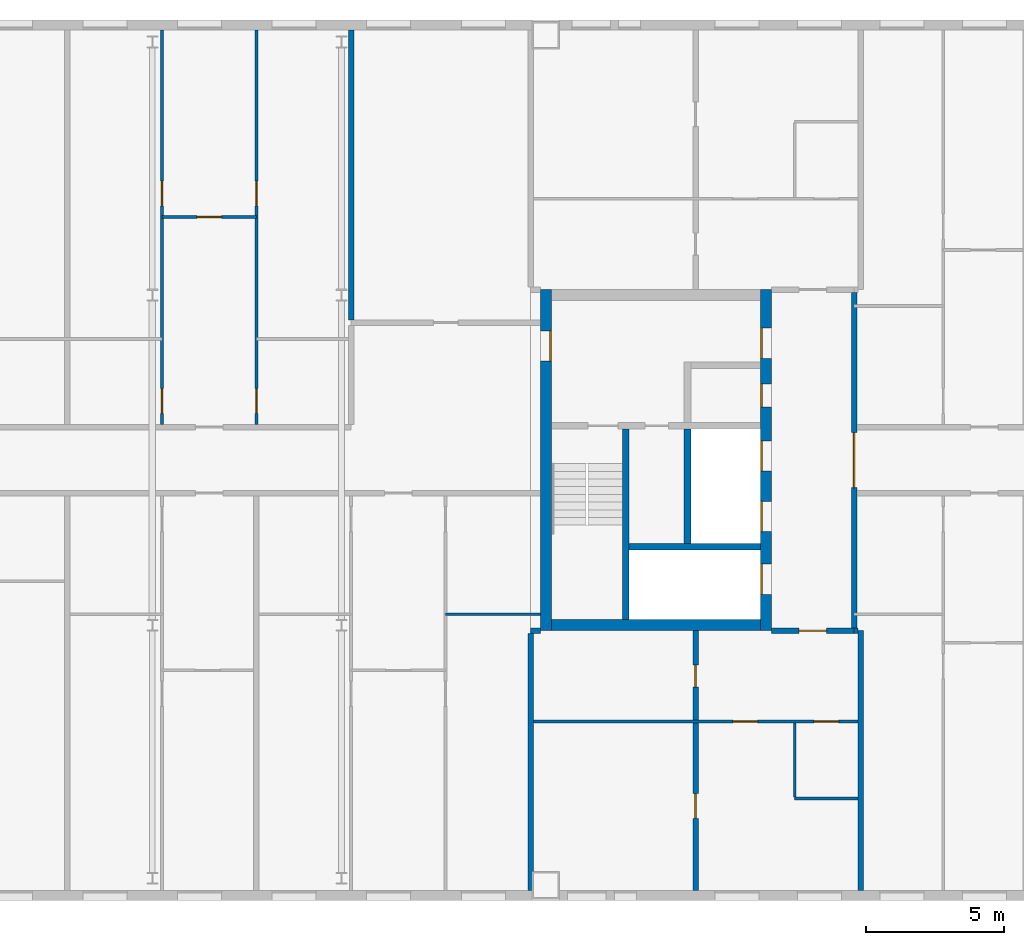
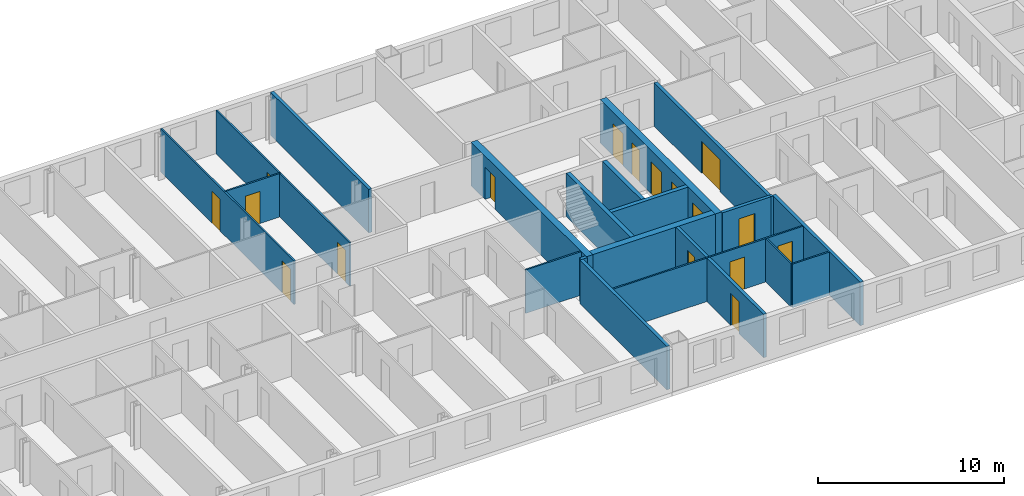
# One storey, part 13 of 19: 21 walls, 17 doors, 17 openings.
"""IFC4 building model written with IfcOpenShell, lengths in metres."""

from ifc_helpers import new_model, si_unit, direction, frame, frame_2d, origin, place, context, subcontext, project, spatial, rectangle, extrude, material, layer, layer_set, type_object, element, fill, save


model = new_model("IFC4")

# Units and contexts
model_context = context("Model", 3, precision=1e-05, world=origin(), true_north=direction((0.0, 1.0)))
body_context = subcontext(model_context, "Body", "Model", "MODEL_VIEW")
ifc_project = project(units=[si_unit("LENGTHUNIT", "METRE"), si_unit("AREAUNIT", "SQUARE_METRE"), si_unit("VOLUMEUNIT", "CUBIC_METRE"), si_unit("PLANEANGLEUNIT", "RADIAN"), si_unit("MASSUNIT", "GRAM", prefix="KILO")], contexts=[model_context])

# Site, building, storey
site_placement = place(None, origin())
site = spatial("IfcSite", under=ifc_project, at=site_placement, CompositionType="ELEMENT")
building_placement = place(site_placement, origin())
building = spatial("IfcBuilding", under=site, at=building_placement, Name="Tuart Gate Housing", CompositionType="ELEMENT")
storey_placement = place(building_placement, frame((0.0, 0.0, 209.0)))
storey = spatial("IfcBuildingStorey", under=building, at=storey_placement, Name="L59", CompositionType="ELEMENT", Elevation=209.0)

# Walls
ifc_material_1 = material(Name="Concrete C40", Category="concrete")
ifc_layer_1 = layer(ifc_material_1, 0.25)
ifc_layer_set_1 = layer_set([ifc_layer_1], Name="Core wall 250 C40")
wall_type_1 = type_object("IfcWallType", Name="Core wall 250 C40", PredefinedType="SHEAR", material=ifc_layer_set_1)
wall_1_placement = place(storey_placement, frame((139.360107421875, 66.85009765625, 0.0), z_axis=(0.0, 0.0, 1.0), x_axis=(-1.0, 0.0, 0.0)))
element("IfcWall", 1, at=wall_1_placement, inside=storey, type_object=wall_type_1, Name="Core wall BG.1", PredefinedType="SHEAR", context=body_context, shape_type="SweptSolid", body=[
    extrude(rectangle(XDim=4.775146484375, YDim=0.25, at=frame_2d((2.3876953125, 0.0))), origin(), (0.0, 0.0, 1.0), 2.85009765625),
])
wall_2_placement = place(storey_placement, frame((136.7099609375, 66.97509765625, 0.0), z_axis=(0.0, 0.0, 1.0), x_axis=(0.0, 1.0, 0.0)))
element("IfcWall", 2, at=wall_2_placement, inside=storey, type_object=wall_type_1, Name="Core wall BG.4", PredefinedType="SHEAR", context=body_context, shape_type="SweptSolid", body=[
    extrude(rectangle(XDim=4.14990234375, YDim=0.25, at=frame_2d((2.074951171875, 0.0))), origin(), (0.0, 0.0, 1.0), 2.85009765625),
])
wall_3_placement = place(storey_placement, frame((134.4599609375, 64.199951171875, 0.0), z_axis=(0.0, 0.0, 1.0), x_axis=(0.0, 1.0, 0.0)))
element("IfcWall", 3, at=wall_3_placement, inside=storey, type_object=wall_type_1, Name="Core wall BG.6", PredefinedType="SHEAR", context=body_context, shape_type="SweptSolid", body=[
    extrude(rectangle(XDim=6.925048828125, YDim=0.25, at=frame_2d((3.46240234375, 0.0))), origin(), (0.0, 0.0, 1.0), 2.85009765625),
])

# Wall, openings, doors
ifc_material_2 = material(Name="Concrete C40", Category="concrete")
ifc_layer_2 = layer(ifc_material_2, 0.39990234375)
ifc_layer_set_2 = layer_set([ifc_layer_2], Name="Core wall 400 C40")
wall_type_2 = type_object("IfcWallType", Name="Core wall 400 C40", PredefinedType="SHEAR", material=ifc_layer_set_2)
wall_4_placement = place(storey_placement, frame((139.56005859375, 63.800048828125, 0.0), z_axis=(0.0, 0.0, 1.0), x_axis=(0.0, 1.0, 0.0)))
wall_4 = element("IfcWall", 4, at=wall_4_placement, inside=storey, type_object=wall_type_2, Name="Core wall BG front", PredefinedType="SHEAR", context=body_context, shape_type="SweptSolid", body=[
    extrude(rectangle(XDim=12.39990234375, YDim=0.39990234375, at=frame_2d((6.199951171875, 0.0))), origin(), (0.0, 0.0, 1.0), 2.85009765625),
])
opening_1_placement = place(wall_4_placement, frame((1.324951171875, 0.0, 0.0)))
opening_1 = element("IfcOpeningElement", 5, at=opening_1_placement, cuts=wall_4, Name="Opening LD-FB1", PredefinedType="OPENING", context=body_context, shape_type="SweptSolid", body=[
    extrude(rectangle(XDim=1.10009765625, YDim=2.10009765625, at=frame_2d((0.550048828125, 1.050048828125))), frame((0.0, 0.2099609375, 0.0), z_axis=(0.0, -1.0, 0.0), x_axis=(1.0, 0.0, 0.0)), (0.0, 0.0, 1.0), 0.419921875),
])
opening_2_placement = place(wall_4_placement, frame((3.60009765625, 0.0, 0.0)))
opening_2 = element("IfcOpeningElement", 6, at=opening_2_placement, cuts=wall_4, Name="Opening LD-LB1", PredefinedType="OPENING", context=body_context, shape_type="SweptSolid", body=[
    extrude(rectangle(XDim=1.10009765625, YDim=2.10009765625, at=frame_2d((0.550048828125, 1.050048828125))), frame((0.0, 0.2099609375, 0.0), z_axis=(0.0, -1.0, 0.0), x_axis=(1.0, 0.0, 0.0)), (0.0, 0.0, 1.0), 0.419921875),
])
opening_3_placement = place(wall_4_placement, frame((5.800048828125, 0.0, 0.0)))
opening_3 = element("IfcOpeningElement", 7, at=opening_3_placement, cuts=wall_4, Name="Opening LD-LB2", PredefinedType="OPENING", context=body_context, shape_type="SweptSolid", body=[
    extrude(rectangle(XDim=1.10009765625, YDim=2.10009765625, at=frame_2d((0.550048828125, 1.050048828125))), frame((0.0, 0.2099609375, 0.0), z_axis=(0.0, -1.0, 0.0), x_axis=(1.0, 0.0, 0.0)), (0.0, 0.0, 1.0), 0.419921875),
])
opening_4_placement = place(wall_4_placement, frame((9.89990234375, 0.0, 0.0)))
opening_4 = element("IfcOpeningElement", 8, at=opening_4_placement, cuts=wall_4, Name="Opening D2246", PredefinedType="OPENING", context=body_context, shape_type="SweptSolid", body=[
    extrude(rectangle(XDim=1.10009765625, YDim=2.10009765625, at=frame_2d((0.550048828125, 1.050048828125))), frame((0.0, 0.2099609375, 0.0), z_axis=(0.0, -1.0, 0.0), x_axis=(1.0, 0.0, 0.0)), (0.0, 0.0, 1.0), 0.419921875),
])
opening_5_placement = place(wall_4_placement, frame((8.125, 0.0, 0.0)))
opening_5 = element("IfcOpeningElement", 9, at=opening_5_placement, cuts=wall_4, Name="Opening D2247", PredefinedType="OPENING", context=body_context, shape_type="SweptSolid", body=[
    extrude(rectangle(XDim=0.85009765625, YDim=2.10009765625, at=frame_2d((0.425048828125, 1.050048828125))), frame((0.0, 0.2099609375, 0.0), z_axis=(0.0, -1.0, 0.0), x_axis=(1.0, 0.0, 0.0)), (0.0, 0.0, 1.0), 0.419921875),
])
ifc_material_3 = material(Name="Stainless steel", Category="steel")
door_type_1 = type_object("IfcDoorType", Name="Landing door 1100 x 2100", OperationType="DOUBLE_DOOR_SLIDING", PredefinedType="DOOR", material=ifc_material_3)
door_1_placement = place(opening_1_placement, origin())
door_1 = element("IfcDoor", 10, at=door_1_placement, inside=storey, type_object=door_type_1, Name="Lift landing door FB1", OperationType="DOUBLE_DOOR_SLIDING", OverallHeight=2.10009765625, OverallWidth=1.10009765625, PredefinedType="DOOR", context=body_context, shape_type="SweptSolid", body=[
    extrude(rectangle(XDim=1.10009765625, YDim=2.10009765625, at=frame_2d((0.550048828125, 1.050048828125))), frame((0.0, 0.18505859375, 0.0), z_axis=(0.0, -1.0, 0.0), x_axis=(1.0, 0.0, 0.0)), (0.0, 0.0, 1.0), 0.050048828125),
])
fill(opening_1, door_1)
door_2_placement = place(opening_2_placement, origin())
door_2 = element("IfcDoor", 11, at=door_2_placement, inside=storey, type_object=door_type_1, Name="Lift landing door LB1", OperationType="DOUBLE_DOOR_SLIDING", OverallHeight=2.10009765625, OverallWidth=1.10009765625, PredefinedType="DOOR", context=body_context, shape_type="SweptSolid", body=[
    extrude(rectangle(XDim=1.10009765625, YDim=2.10009765625, at=frame_2d((0.550048828125, 1.050048828125))), frame((0.0, 0.18505859375, 0.0), z_axis=(0.0, -1.0, 0.0), x_axis=(1.0, 0.0, 0.0)), (0.0, 0.0, 1.0), 0.050048828125),
])
fill(opening_2, door_2)
door_3_placement = place(opening_3_placement, origin())
door_3 = element("IfcDoor", 12, at=door_3_placement, inside=storey, type_object=door_type_1, Name="Lift landing door LB2", OperationType="DOUBLE_DOOR_SLIDING", OverallHeight=2.10009765625, OverallWidth=1.10009765625, PredefinedType="DOOR", context=body_context, shape_type="SweptSolid", body=[
    extrude(rectangle(XDim=1.10009765625, YDim=2.10009765625, at=frame_2d((0.550048828125, 1.050048828125))), frame((0.0, 0.18505859375, 0.0), z_axis=(0.0, -1.0, 0.0), x_axis=(1.0, 0.0, 0.0)), (0.0, 0.0, 1.0), 0.050048828125),
])
fill(opening_3, door_3)
ifc_material_4 = material(Name="Steel fire door", Category="steel")
door_type_2 = type_object("IfcDoorType", Name="Lobby door 1100 x 2100", OperationType="SINGLE_SWING_LEFT", PredefinedType="DOOR", material=ifc_material_4)
door_4_placement = place(opening_4_placement, origin())
door_4 = element("IfcDoor", 13, at=door_4_placement, inside=storey, type_object=door_type_2, Name="Lobby entry door BG.EN", OperationType="SINGLE_SWING_LEFT", OverallHeight=2.10009765625, OverallWidth=1.10009765625, PredefinedType="DOOR", context=body_context, shape_type="SweptSolid", body=[
    extrude(rectangle(XDim=1.10009765625, YDim=2.10009765625, at=frame_2d((0.550048828125, 1.050048828125))), frame((0.0, 0.18505859375, 0.0), z_axis=(0.0, -1.0, 0.0), x_axis=(1.0, 0.0, 0.0)), (0.0, 0.0, 1.0), 0.050048828125),
])
fill(opening_4, door_4)
ifc_material_5 = material(Name="Steel fire door", Category="steel")
door_type_3 = type_object("IfcDoorType", Name="Service door 850 x 2100", OperationType="SINGLE_SWING_LEFT", PredefinedType="DOOR", material=ifc_material_5)
door_5_placement = place(opening_5_placement, origin())
door_5 = element("IfcDoor", 14, at=door_5_placement, inside=storey, type_object=door_type_3, Name="Service room door BG.T1", OperationType="SINGLE_SWING_LEFT", OverallHeight=2.10009765625, OverallWidth=0.85009765625, PredefinedType="DOOR", context=body_context, shape_type="SweptSolid", body=[
    extrude(rectangle(XDim=0.85009765625, YDim=2.10009765625, at=frame_2d((0.425048828125, 1.050048828125))), frame((0.0, 0.18505859375, 0.0), z_axis=(0.0, -1.0, 0.0), x_axis=(1.0, 0.0, 0.0)), (0.0, 0.0, 1.0), 0.050048828125),
])
fill(opening_5, door_5)

# Wall, opening, door
wall_5_placement = place(storey_placement, frame((131.56005859375, 63.800048828125, 0.0), z_axis=(0.0, 0.0, 1.0), x_axis=(0.0, 1.0, 0.0)))
wall_5 = element("IfcWall", 15, at=wall_5_placement, inside=storey, type_object=wall_type_2, Name="Core wall BG back", PredefinedType="SHEAR", context=body_context, shape_type="SweptSolid", body=[
    extrude(rectangle(XDim=12.39990234375, YDim=0.39990234375, at=frame_2d((6.199951171875, 0.0))), origin(), (0.0, 0.0, 1.0), 2.85009765625),
])
opening_6_placement = place(wall_5_placement, frame((9.800048828125, 0.0, 0.0)))
opening_6 = element("IfcOpeningElement", 16, at=opening_6_placement, cuts=wall_5, Name="Opening D2245", PredefinedType="OPENING", context=body_context, shape_type="SweptSolid", body=[
    extrude(rectangle(XDim=1.10009765625, YDim=2.10009765625, at=frame_2d((0.550048828125, 1.050048828125))), frame((0.0, 0.2099609375, 0.0), z_axis=(0.0, -1.0, 0.0), x_axis=(1.0, 0.0, 0.0)), (0.0, 0.0, 1.0), 0.419921875),
])
door_6_placement = place(opening_6_placement, frame((1.10009765625, 0.0, 0.0), z_axis=(0.0, 0.0, 1.0), x_axis=(-1.0, 0.0, 0.0)))
door_6 = element("IfcDoor", 17, at=door_6_placement, inside=storey, type_object=door_type_2, Name="Link door BG.LK", OperationType="SINGLE_SWING_LEFT", OverallHeight=2.10009765625, OverallWidth=1.10009765625, PredefinedType="DOOR", context=body_context, shape_type="SweptSolid", body=[
    extrude(rectangle(XDim=1.10009765625, YDim=2.10009765625, at=frame_2d((0.550048828125, 1.050048828125))), frame((0.0, 0.184814453125, 0.0), z_axis=(0.0, -1.0, 0.0), x_axis=(1.0, 0.0, 0.0)), (0.0, 0.0, 1.0), 0.050048828125),
])
fill(opening_6, door_6)

# Wall
wall_6_placement = place(storey_placement, frame((139.360107421875, 64.0, 0.0), z_axis=(0.0, 0.0, 1.0), x_axis=(-1.0, 0.0, 0.0)))
element("IfcWall", 18, at=wall_6_placement, inside=storey, type_object=wall_type_2, Name="Core wall BG south", PredefinedType="SHEAR", context=body_context, shape_type="SweptSolid", body=[
    extrude(rectangle(XDim=7.60009765625, YDim=0.39990234375, at=frame_2d((3.800048828125, 0.0))), origin(), (0.0, 0.0, 1.0), 2.85009765625),
])

# Wall, opening, door
ifc_material_6 = material(Name="Concrete masonry 15 MPa", Category="masonry")
ifc_layer_3 = layer(ifc_material_6, 0.199951171875)
ifc_layer_set_3 = layer_set([ifc_layer_3], Name="Enclosure wall masonry 200")
wall_type_3 = type_object("IfcWallType", Name="Enclosure wall masonry 200", PredefinedType="PARTITIONING", material=ifc_layer_set_3)
wall_7_placement = place(storey_placement, frame((139.760009765625, 63.800048828125, 0.0), z_axis=(0.0, 0.0, 1.0), x_axis=(1.0, 0.0, 0.0)))
wall_7 = element("IfcWall", 19, at=wall_7_placement, inside=storey, type_object=wall_type_3, Name="Enclosure wall masonry 200", PredefinedType="PARTITIONING", context=body_context, shape_type="SweptSolid", body=[
    extrude(rectangle(XDim=3.0, YDim=0.199951171875, at=frame_2d((1.5, 0.0))), origin(), (0.0, 0.0, 1.0), 2.85009765625),
])
opening_7_placement = place(wall_7_placement, frame((1.0, 0.0, 0.0)))
opening_7 = element("IfcOpeningElement", 20, at=opening_7_placement, cuts=wall_7, Name="Opening D2259", PredefinedType="OPENING", context=body_context, shape_type="SweptSolid", body=[
    extrude(rectangle(XDim=1.0, YDim=2.10009765625, at=frame_2d((0.5, 1.050048828125))), frame((0.0, 0.10986328125, 0.0), z_axis=(0.0, -1.0, 0.0), x_axis=(1.0, 0.0, 0.0)), (0.0, 0.0, 1.0), 0.219970703125),
])
ifc_material_7 = material(Name="Timber door leaf in steel frame", Category="steel")
door_type_4 = type_object("IfcDoorType", Name="Flat entrance door 1000", OperationType="SINGLE_SWING_LEFT", PredefinedType="DOOR", material=ifc_material_7)
door_7_placement = place(opening_7_placement, frame((1.0, 0.0, 0.0), z_axis=(0.0, 0.0, 1.0), x_axis=(-1.0, 0.0, 0.0)))
door_7 = element("IfcDoor", 21, at=door_7_placement, inside=storey, type_object=door_type_4, Name="Flat entrance door", OperationType="SINGLE_SWING_LEFT", OverallHeight=2.10009765625, OverallWidth=1.0, PredefinedType="DOOR", context=body_context, shape_type="SweptSolid", body=[
    extrude(rectangle(XDim=1.0, YDim=2.10009765625, at=frame_2d((0.5, 1.050048828125))), frame((0.0, 0.025146484375, 0.0), z_axis=(0.0, -1.0, 0.0), x_axis=(1.0, 0.0, 0.0)), (0.0, 0.0, 1.0), 0.050048828125),
])
fill(opening_7, door_7)

ifc_material_8 = material(Name="Plasterboard partition")
ifc_layer_4 = layer(ifc_material_8, 0.199951171875)
ifc_layer_set_4 = layer_set([ifc_layer_4], Name="Lobby wall 200")
wall_type_4 = type_object("IfcWallType", Name="Lobby wall 200", PredefinedType="PARTITIONING", material=ifc_layer_set_4)
wall_8_placement = place(storey_placement, frame((142.760009765625, 63.89990234375, 0.0), z_axis=(0.0, 0.0, 1.0), x_axis=(0.0, 1.0, 0.0)))
wall_8 = element("IfcWall", 22, at=wall_8_placement, inside=storey, type_object=wall_type_4, Name="Lift lobby wall BG", PredefinedType="PARTITIONING", context=body_context, shape_type="SweptSolid", body=[
    extrude(rectangle(XDim=12.2001953125, YDim=0.199951171875, at=frame_2d((6.10009765625, 0.0))), origin(), (0.0, 0.0, 1.0), 2.85009765625),
])
opening_8_placement = place(wall_8_placement, frame((5.10009765625, 0.0, 0.0)))
opening_8 = element("IfcOpeningElement", 23, at=opening_8_placement, cuts=wall_8, Name="Opening D2248", PredefinedType="OPENING", context=body_context, shape_type="SweptSolid", body=[
    extrude(rectangle(XDim=2.0, YDim=2.10009765625, at=frame_2d((1.0, 1.050048828125))), frame((0.0, 0.10986328125, 0.0), z_axis=(0.0, -1.0, 0.0), x_axis=(1.0, 0.0, 0.0)), (0.0, 0.0, 1.0), 0.219970703125),
])
ifc_material_9 = material(Name="Steel fire door", Category="steel")
door_type_5 = type_object("IfcDoorType", Name="Smoke door 2000 x 2100", OperationType="DOUBLE_DOOR_SINGLE_SWING", PredefinedType="DOOR", material=ifc_material_9)
door_8_placement = place(opening_8_placement, origin())
door_8 = element("IfcDoor", 24, at=door_8_placement, inside=storey, type_object=door_type_5, Name="Lift lobby smoke door BG", OperationType="DOUBLE_DOOR_SINGLE_SWING", OverallHeight=2.10009765625, OverallWidth=2.0, PredefinedType="DOOR", context=body_context, shape_type="SweptSolid", body=[
    extrude(rectangle(XDim=2.0, YDim=2.10009765625, at=frame_2d((1.0, 1.050048828125))), frame((0.0, 0.02490234375, 0.0), z_axis=(0.0, -1.0, 0.0), x_axis=(1.0, 0.0, 0.0)), (0.0, 0.0, 1.0), 0.050048828125),
])
fill(opening_8, door_8)

# Wall
ifc_material_10 = material(Name="Gypsum board on steel studs", Category="steel")
ifc_layer_5 = layer(ifc_material_10, 0.10009765625)
ifc_layer_set_5 = layer_set([ifc_layer_5], Name="Partition 100")
wall_type_5 = type_object("IfcWallType", Name="Partition 100", PredefinedType="PARTITIONING", material=ifc_layer_set_5)
wall_9_placement = place(storey_placement, frame((140.60009765625, 57.699951171875, 0.0), z_axis=(0.0, 0.0, 1.0), x_axis=(1.0, 0.0, 0.0)))
element("IfcWall", 25, at=wall_9_placement, inside=storey, type_object=wall_type_5, Name="Partition 100", PredefinedType="PARTITIONING", context=body_context, shape_type="SweptSolid", body=[
    extrude(rectangle(XDim=2.2998046875, YDim=0.10009765625, at=frame_2d((1.14990234375, 0.0))), origin(), (0.0, 0.0, 1.0), 2.85009765625),
])

# Wall, openings, doors
wall_10_placement = place(storey_placement, frame((131.10009765625, 60.5, 0.0), z_axis=(0.0, 0.0, 1.0), x_axis=(1.0, 0.0, 0.0)))
wall_10 = element("IfcWall", 26, at=wall_10_placement, inside=storey, type_object=wall_type_5, Name="Partition 100", PredefinedType="PARTITIONING", context=body_context, shape_type="SweptSolid", body=[
    extrude(rectangle(XDim=11.7998046875, YDim=0.10009765625, at=frame_2d((5.89990234375, 0.0))), origin(), (0.0, 0.0, 1.0), 2.85009765625),
])
opening_9_placement = place(wall_10_placement, frame((7.25, 0.0, 0.0)))
opening_9 = element("IfcOpeningElement", 27, at=opening_9_placement, cuts=wall_10, Name="Opening D2268", PredefinedType="OPENING", context=body_context, shape_type="SweptSolid", body=[
    extrude(rectangle(XDim=0.89990234375, YDim=2.10009765625, at=frame_2d((0.449951171875, 1.050048828125))), frame((0.0, 0.06005859375, 0.0), z_axis=(0.0, -1.0, 0.0), x_axis=(1.0, 0.0, 0.0)), (0.0, 0.0, 1.0), 0.1201171875),
])
opening_10_placement = place(wall_10_placement, frame((10.199951171875, 0.0, 0.0)))
opening_10 = element("IfcOpeningElement", 28, at=opening_10_placement, cuts=wall_10, Name="Opening D2267", PredefinedType="OPENING", context=body_context, shape_type="SweptSolid", body=[
    extrude(rectangle(XDim=0.89990234375, YDim=2.10009765625, at=frame_2d((0.449951171875, 1.050048828125))), frame((0.0, 0.06005859375, 0.0), z_axis=(0.0, -1.0, 0.0), x_axis=(1.0, 0.0, 0.0)), (0.0, 0.0, 1.0), 0.1201171875),
])
ifc_material_11 = material(Name="Timber door leaf in steel frame", Category="steel")
door_type_6 = type_object("IfcDoorType", Name="Bathroom door 900 RH", OperationType="SINGLE_SWING_RIGHT", PredefinedType="DOOR", material=ifc_material_11)
door_9_placement = place(opening_10_placement, frame((0.89990234375, 0.0, 0.0), z_axis=(0.0, 0.0, 1.0), x_axis=(-1.0, 0.0, 0.0)))
door_9 = element("IfcDoor", 29, at=door_9_placement, inside=storey, type_object=door_type_6, Name="Bathroom door", OperationType="SINGLE_SWING_RIGHT", OverallHeight=2.10009765625, OverallWidth=0.89990234375, PredefinedType="DOOR", context=body_context, shape_type="SweptSolid", body=[
    extrude(rectangle(XDim=0.89990234375, YDim=2.10009765625, at=frame_2d((0.449951171875, 1.050048828125))), frame((0.0, 0.025146484375, 0.0), z_axis=(0.0, -1.0, 0.0), x_axis=(1.0, 0.0, 0.0)), (0.0, 0.0, 1.0), 0.050048828125),
])
fill(opening_10, door_9)
ifc_material_12 = material(Name="Timber door leaf in steel frame", Category="steel")
door_type_7 = type_object("IfcDoorType", Name="Internal door 900", OperationType="SINGLE_SWING_LEFT", PredefinedType="DOOR", material=ifc_material_12)
door_10_placement = place(opening_9_placement, origin())
door_10 = element("IfcDoor", 30, at=door_10_placement, inside=storey, type_object=door_type_7, Name="Internal door", OperationType="SINGLE_SWING_LEFT", OverallHeight=2.10009765625, OverallWidth=0.89990234375, PredefinedType="DOOR", context=body_context, shape_type="SweptSolid", body=[
    extrude(rectangle(XDim=0.89990234375, YDim=2.10009765625, at=frame_2d((0.449951171875, 1.050048828125))), frame((0.0, 0.02490234375, 0.0), z_axis=(0.0, -1.0, 0.0), x_axis=(1.0, 0.0, 0.0)), (0.0, 0.0, 1.0), 0.050048828125),
])
fill(opening_9, door_10)

# Wall
wall_11_placement = place(storey_placement, frame((127.912109375, 64.39990234375, 0.0), z_axis=(0.0, 0.0, 1.0), x_axis=(1.0, 0.0, 0.0)))
element("IfcWall", 31, at=wall_11_placement, inside=storey, type_object=wall_type_5, Name="Partition 100", PredefinedType="PARTITIONING", context=body_context, shape_type="SweptSolid", body=[
    extrude(rectangle(XDim=3.447998046875, YDim=0.10009765625, at=frame_2d((1.72412109375, 0.0))), origin(), (0.0, 0.0, 1.0), 2.85009765625),
])

# Wall, opening, door
wall_12_placement = place(storey_placement, frame((117.60009765625, 78.840087890625, 0.0), z_axis=(0.0, 0.0, 1.0), x_axis=(1.0, 0.0, 0.0)))
wall_12 = element("IfcWall", 32, at=wall_12_placement, inside=storey, type_object=wall_type_5, Name="Partition 100", PredefinedType="PARTITIONING", context=body_context, shape_type="SweptSolid", body=[
    extrude(rectangle(XDim=3.43701171875, YDim=0.10009765625, at=frame_2d((1.718505859375, 0.0))), origin(), (0.0, 0.0, 1.0), 2.85009765625),
])
opening_11_placement = place(wall_12_placement, frame((1.2685546875, 0.0, 0.0)))
opening_11 = element("IfcOpeningElement", 33, at=opening_11_placement, cuts=wall_12, Name="Opening D2168", PredefinedType="OPENING", context=body_context, shape_type="SweptSolid", body=[
    extrude(rectangle(XDim=0.89990234375, YDim=2.10009765625, at=frame_2d((0.449951171875, 1.050048828125))), frame((0.0, 0.06005859375, 0.0), z_axis=(0.0, -1.0, 0.0), x_axis=(1.0, 0.0, 0.0)), (0.0, 0.0, 1.0), 0.1201171875),
])
ifc_material_13 = material(Name="Timber door leaf in steel frame", Category="steel")
door_type_8 = type_object("IfcDoorType", Name="Internal door 900 RH", OperationType="SINGLE_SWING_RIGHT", PredefinedType="DOOR", material=ifc_material_13)
door_11_placement = place(opening_11_placement, frame((0.89990234375, 0.0, 0.0), z_axis=(0.0, 0.0, 1.0), x_axis=(-1.0, 0.0, 0.0)))
door_11 = element("IfcDoor", 34, at=door_11_placement, inside=storey, type_object=door_type_8, Name="Internal door", OperationType="SINGLE_SWING_RIGHT", OverallHeight=2.10009765625, OverallWidth=0.89990234375, PredefinedType="DOOR", context=body_context, shape_type="SweptSolid", body=[
    extrude(rectangle(XDim=0.89990234375, YDim=2.10009765625, at=frame_2d((0.449951171875, 1.050048828125))), frame((0.0, 0.025146484375, 0.0), z_axis=(0.0, -1.0, 0.0), x_axis=(1.0, 0.0, 0.0)), (0.0, 0.0, 1.0), 0.050048828125),
])
fill(opening_11, door_11)

# Wall, openings, doors
wall_13_placement = place(storey_placement, frame((117.60009765625, 71.300048828125, 0.0), z_axis=(0.0, 0.0, 1.0), x_axis=(0.0, 1.0, 0.0)))
wall_13 = element("IfcWall", 35, at=wall_13_placement, inside=storey, type_object=wall_type_5, Name="Partition 100", PredefinedType="PARTITIONING", context=body_context, shape_type="SweptSolid", body=[
    extrude(rectangle(XDim=14.33984375, YDim=0.10009765625, at=frame_2d((7.169921875, 0.0))), origin(), (0.0, 0.0, 1.0), 2.85009765625),
])
opening_12_placement = place(wall_13_placement, frame((7.93994140625, 0.0, 0.0)))
opening_12 = element("IfcOpeningElement", 36, at=opening_12_placement, cuts=wall_13, Name="Opening D2182", PredefinedType="OPENING", context=body_context, shape_type="SweptSolid", body=[
    extrude(rectangle(XDim=0.89990234375, YDim=2.10009765625, at=frame_2d((0.449951171875, 1.050048828125))), frame((0.0, 0.06005859375, 0.0), z_axis=(0.0, -1.0, 0.0), x_axis=(1.0, 0.0, 0.0)), (0.0, 0.0, 1.0), 0.1201171875),
])
opening_13_placement = place(wall_13_placement, frame((0.39990234375, 0.0, 0.0)))
opening_13 = element("IfcOpeningElement", 37, at=opening_13_placement, cuts=wall_13, Name="Opening D2181", PredefinedType="OPENING", context=body_context, shape_type="SweptSolid", body=[
    extrude(rectangle(XDim=0.89990234375, YDim=2.10009765625, at=frame_2d((0.449951171875, 1.050048828125))), frame((0.0, 0.06005859375, 0.0), z_axis=(0.0, -1.0, 0.0), x_axis=(1.0, 0.0, 0.0)), (0.0, 0.0, 1.0), 0.1201171875),
])
ifc_material_14 = material(Name="Timber door leaf in steel frame", Category="steel")
door_type_9 = type_object("IfcDoorType", Name="Bathroom door 900", OperationType="SINGLE_SWING_LEFT", PredefinedType="DOOR", material=ifc_material_14)
door_12_placement = place(opening_13_placement, origin())
door_12 = element("IfcDoor", 38, at=door_12_placement, inside=storey, type_object=door_type_9, Name="Bathroom door", OperationType="SINGLE_SWING_LEFT", OverallHeight=2.10009765625, OverallWidth=0.89990234375, PredefinedType="DOOR", context=body_context, shape_type="SweptSolid", body=[
    extrude(rectangle(XDim=0.89990234375, YDim=2.10009765625, at=frame_2d((0.449951171875, 1.050048828125))), frame((0.0, 0.02490234375, 0.0), z_axis=(0.0, -1.0, 0.0), x_axis=(1.0, 0.0, 0.0)), (0.0, 0.0, 1.0), 0.050048828125),
])
fill(opening_13, door_12)
door_13_placement = place(opening_12_placement, origin())
door_13 = element("IfcDoor", 39, at=door_13_placement, inside=storey, type_object=door_type_7, Name="Internal door", OperationType="SINGLE_SWING_LEFT", OverallHeight=2.10009765625, OverallWidth=0.89990234375, PredefinedType="DOOR", context=body_context, shape_type="SweptSolid", body=[
    extrude(rectangle(XDim=0.89990234375, YDim=2.10009765625, at=frame_2d((0.449951171875, 1.050048828125))), frame((0.0, 0.02490234375, 0.0), z_axis=(0.0, -1.0, 0.0), x_axis=(1.0, 0.0, 0.0)), (0.0, 0.0, 1.0), 0.050048828125),
])
fill(opening_12, door_13)

wall_14_placement = place(storey_placement, frame((121.037109375, 71.300048828125, 0.0), z_axis=(0.0, 0.0, 1.0), x_axis=(0.0, 1.0, 0.0)))
wall_14 = element("IfcWall", 40, at=wall_14_placement, inside=storey, type_object=wall_type_5, Name="Partition 100", PredefinedType="PARTITIONING", context=body_context, shape_type="SweptSolid", body=[
    extrude(rectangle(XDim=14.33984375, YDim=0.10009765625, at=frame_2d((7.169921875, 0.0))), origin(), (0.0, 0.0, 1.0), 2.85009765625),
])
opening_14_placement = place(wall_14_placement, frame((7.93994140625, 0.0, 0.0)))
opening_14 = element("IfcOpeningElement", 41, at=opening_14_placement, cuts=wall_14, Name="Opening D2184", PredefinedType="OPENING", context=body_context, shape_type="SweptSolid", body=[
    extrude(rectangle(XDim=0.89990234375, YDim=2.10009765625, at=frame_2d((0.449951171875, 1.050048828125))), frame((0.0, 0.06005859375, 0.0), z_axis=(0.0, -1.0, 0.0), x_axis=(1.0, 0.0, 0.0)), (0.0, 0.0, 1.0), 0.1201171875),
])
opening_15_placement = place(wall_14_placement, frame((0.39990234375, 0.0, 0.0)))
opening_15 = element("IfcOpeningElement", 42, at=opening_15_placement, cuts=wall_14, Name="Opening D2183", PredefinedType="OPENING", context=body_context, shape_type="SweptSolid", body=[
    extrude(rectangle(XDim=0.89990234375, YDim=2.10009765625, at=frame_2d((0.449951171875, 1.050048828125))), frame((0.0, 0.06005859375, 0.0), z_axis=(0.0, -1.0, 0.0), x_axis=(1.0, 0.0, 0.0)), (0.0, 0.0, 1.0), 0.1201171875),
])
door_14_placement = place(opening_15_placement, frame((0.89990234375, 0.0, 0.0), z_axis=(0.0, 0.0, 1.0), x_axis=(-1.0, 0.0, 0.0)))
door_14 = element("IfcDoor", 43, at=door_14_placement, inside=storey, type_object=door_type_6, Name="Bathroom door", OperationType="SINGLE_SWING_RIGHT", OverallHeight=2.10009765625, OverallWidth=0.89990234375, PredefinedType="DOOR", context=body_context, shape_type="SweptSolid", body=[
    extrude(rectangle(XDim=0.89990234375, YDim=2.10009765625, at=frame_2d((0.449951171875, 1.050048828125))), frame((0.0, 0.025146484375, 0.0), z_axis=(0.0, -1.0, 0.0), x_axis=(1.0, 0.0, 0.0)), (0.0, 0.0, 1.0), 0.050048828125),
])
fill(opening_15, door_14)
door_15_placement = place(opening_14_placement, frame((0.89990234375, 0.0, 0.0), z_axis=(0.0, 0.0, 1.0), x_axis=(-1.0, 0.0, 0.0)))
door_15 = element("IfcDoor", 44, at=door_15_placement, inside=storey, type_object=door_type_8, Name="Internal door", OperationType="SINGLE_SWING_RIGHT", OverallHeight=2.10009765625, OverallWidth=0.89990234375, PredefinedType="DOOR", context=body_context, shape_type="SweptSolid", body=[
    extrude(rectangle(XDim=0.89990234375, YDim=2.10009765625, at=frame_2d((0.449951171875, 1.050048828125))), frame((0.0, 0.025146484375, 0.0), z_axis=(0.0, -1.0, 0.0), x_axis=(1.0, 0.0, 0.0)), (0.0, 0.0, 1.0), 0.050048828125),
])
fill(opening_14, door_15)

# Wall
wall_15_placement = place(storey_placement, frame((140.60009765625, 57.75, 0.0), z_axis=(0.0, 0.0, 1.0), x_axis=(0.0, 1.0, 0.0)))
element("IfcWall", 45, at=wall_15_placement, inside=storey, type_object=wall_type_5, Name="Partition 100", PredefinedType="PARTITIONING", context=body_context, shape_type="SweptSolid", body=[
    extrude(rectangle(XDim=2.699951171875, YDim=0.10009765625, at=frame_2d((1.35009765625, 0.0))), origin(), (0.0, 0.0, 1.0), 2.85009765625),
])

# Wall, openings, doors
ifc_material_15 = material(Name="Concrete C40", Category="concrete")
ifc_layer_6 = layer(ifc_material_15, 0.199951171875)
ifc_layer_set_6 = layer_set([ifc_layer_6], Name="Party wall concrete C40 200")
wall_type_6 = type_object("IfcWallType", Name="Party wall concrete C40 200", PredefinedType="SOLIDWALL", material=ifc_layer_set_6)
wall_16_placement = place(storey_placement, frame((137.0, 54.360107421875, 0.0), z_axis=(0.0, 0.0, 1.0), x_axis=(0.0, 1.0, 0.0)))
wall_16 = element("IfcWall", 46, at=wall_16_placement, inside=storey, type_object=wall_type_6, Name="Party wall concrete C40 200", PredefinedType="SOLIDWALL", context=body_context, shape_type="SweptSolid", body=[
    extrude(rectangle(XDim=9.43994140625, YDim=0.199951171875, at=frame_2d((4.719970703125, 0.0))), origin(), (0.0, 0.0, 1.0), 2.85009765625),
])
opening_16_placement = place(wall_16_placement, frame((2.6201171875, 0.0, 0.0)))
opening_16 = element("IfcOpeningElement", 47, at=opening_16_placement, cuts=wall_16, Name="Opening D2271", PredefinedType="OPENING", context=body_context, shape_type="SweptSolid", body=[
    extrude(rectangle(XDim=0.89990234375, YDim=2.10009765625, at=frame_2d((0.449951171875, 1.050048828125))), frame((0.0, 0.10986328125, 0.0), z_axis=(0.0, -1.0, 0.0), x_axis=(1.0, 0.0, 0.0)), (0.0, 0.0, 1.0), 0.219970703125),
])
opening_17_placement = place(wall_16_placement, frame((7.389892578125, 0.0, 0.0)))
opening_17 = element("IfcOpeningElement", 48, at=opening_17_placement, cuts=wall_16, Name="Opening D2272", PredefinedType="OPENING", context=body_context, shape_type="SweptSolid", body=[
    extrude(rectangle(XDim=0.800048828125, YDim=2.10009765625, at=frame_2d((0.39990234375, 1.050048828125))), frame((0.0, 0.10986328125, 0.0), z_axis=(0.0, -1.0, 0.0), x_axis=(1.0, 0.0, 0.0)), (0.0, 0.0, 1.0), 0.219970703125),
])
door_16_placement = place(opening_16_placement, origin())
door_16 = element("IfcDoor", 49, at=door_16_placement, inside=storey, type_object=door_type_7, Name="Internal door", OperationType="SINGLE_SWING_LEFT", OverallHeight=2.10009765625, OverallWidth=0.89990234375, PredefinedType="DOOR", context=body_context, shape_type="SweptSolid", body=[
    extrude(rectangle(XDim=0.89990234375, YDim=2.10009765625, at=frame_2d((0.449951171875, 1.050048828125))), frame((0.0, 0.02490234375, 0.0), z_axis=(0.0, -1.0, 0.0), x_axis=(1.0, 0.0, 0.0)), (0.0, 0.0, 1.0), 0.050048828125),
])
fill(opening_16, door_16)
ifc_material_16 = material(Name="Timber door leaf in steel frame", Category="steel")
door_type_10 = type_object("IfcDoorType", Name="Store door 800", OperationType="SINGLE_SWING_LEFT", PredefinedType="DOOR", material=ifc_material_16)
door_17_placement = place(opening_17_placement, origin())
door_17 = element("IfcDoor", 50, at=door_17_placement, inside=storey, type_object=door_type_10, Name="Store door", OperationType="SINGLE_SWING_LEFT", OverallHeight=2.10009765625, OverallWidth=0.800048828125, PredefinedType="DOOR", context=body_context, shape_type="SweptSolid", body=[
    extrude(rectangle(XDim=0.800048828125, YDim=2.10009765625, at=frame_2d((0.39990234375, 1.050048828125))), frame((0.0, 0.02490234375, 0.0), z_axis=(0.0, -1.0, 0.0), x_axis=(1.0, 0.0, 0.0)), (0.0, 0.0, 1.0), 0.050048828125),
])
fill(opening_17, door_17)

# Walls
wall_17_placement = place(storey_placement, frame((143.0, 54.360107421875, 0.0), z_axis=(0.0, 0.0, 1.0), x_axis=(0.0, 1.0, 0.0)))
element("IfcWall", 51, at=wall_17_placement, inside=storey, type_object=wall_type_6, Name="Party wall concrete C40 200", PredefinedType="SOLIDWALL", context=body_context, shape_type="SweptSolid", body=[
    extrude(rectangle(XDim=9.43994140625, YDim=0.199951171875, at=frame_2d((4.719970703125, 0.0))), origin(), (0.0, 0.0, 1.0), 2.85009765625),
])
ifc_material_17 = material(Name="Concrete masonry 15 MPa", Category="masonry")
ifc_layer_7 = layer(ifc_material_17, 0.199951171875)
ifc_layer_set_7 = layer_set([ifc_layer_7], Name="Party wall masonry 200")
wall_type_7 = type_object("IfcWallType", Name="Party wall masonry 200", PredefinedType="PARTITIONING", material=ifc_layer_set_7)
wall_18_placement = place(storey_placement, frame((131.0, 63.800048828125, 0.0), z_axis=(0.0, 0.0, 1.0), x_axis=(1.0, 0.0, 0.0)))
element("IfcWall", 52, at=wall_18_placement, inside=storey, type_object=wall_type_7, Name="Party wall masonry 200", PredefinedType="PARTITIONING", context=body_context, shape_type="SweptSolid", body=[
    extrude(rectangle(XDim=0.360107421875, YDim=0.199951171875, at=frame_2d((0.18017578125, 0.0))), origin(), (0.0, 0.0, 1.0), 2.85009765625),
])
wall_19_placement = place(storey_placement, frame((142.760009765625, 63.800048828125, 0.0), z_axis=(0.0, 0.0, 1.0), x_axis=(1.0, 0.0, 0.0)))
element("IfcWall", 53, at=wall_19_placement, inside=storey, type_object=wall_type_7, Name="Party wall masonry 200", PredefinedType="PARTITIONING", context=body_context, shape_type="SweptSolid", body=[
    extrude(rectangle(XDim=0.139892578125, YDim=0.199951171875, at=frame_2d((0.06982421875, 0.0))), origin(), (0.0, 0.0, 1.0), 2.85009765625),
])
wall_20_placement = place(storey_placement, frame((124.47509765625, 75.10009765625, 0.0), z_axis=(0.0, 0.0, 1.0), x_axis=(0.0, 1.0, 0.0)))
element("IfcWall", 54, at=wall_20_placement, inside=storey, type_object=wall_type_7, Name="Party wall masonry 200", PredefinedType="PARTITIONING", context=body_context, shape_type="SweptSolid", body=[
    extrude(rectangle(XDim=10.539794921875, YDim=0.199951171875, at=frame_2d((5.27001953125, 0.0))), origin(), (0.0, 0.0, 1.0), 2.85009765625),
])
wall_21_placement = place(storey_placement, frame((131.0, 54.360107421875, 0.0), z_axis=(0.0, 0.0, 1.0), x_axis=(0.0, 1.0, 0.0)))
element("IfcWall", 55, at=wall_21_placement, inside=storey, type_object=wall_type_7, Name="Party wall masonry 200", PredefinedType="PARTITIONING", context=body_context, shape_type="SweptSolid", body=[
    extrude(rectangle(XDim=9.33984375, YDim=0.199951171875, at=frame_2d((4.669921875, 0.0))), origin(), (0.0, 0.0, 1.0), 2.85009765625),
])

save(model, "model.ifc")
